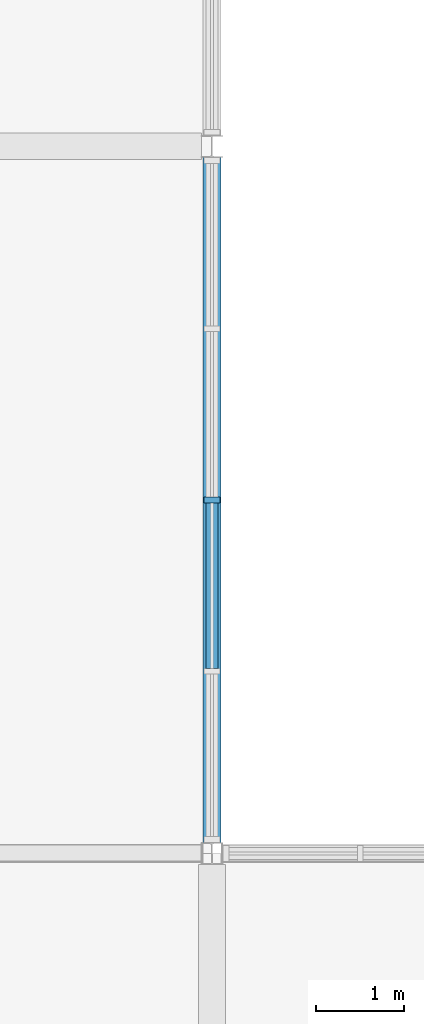
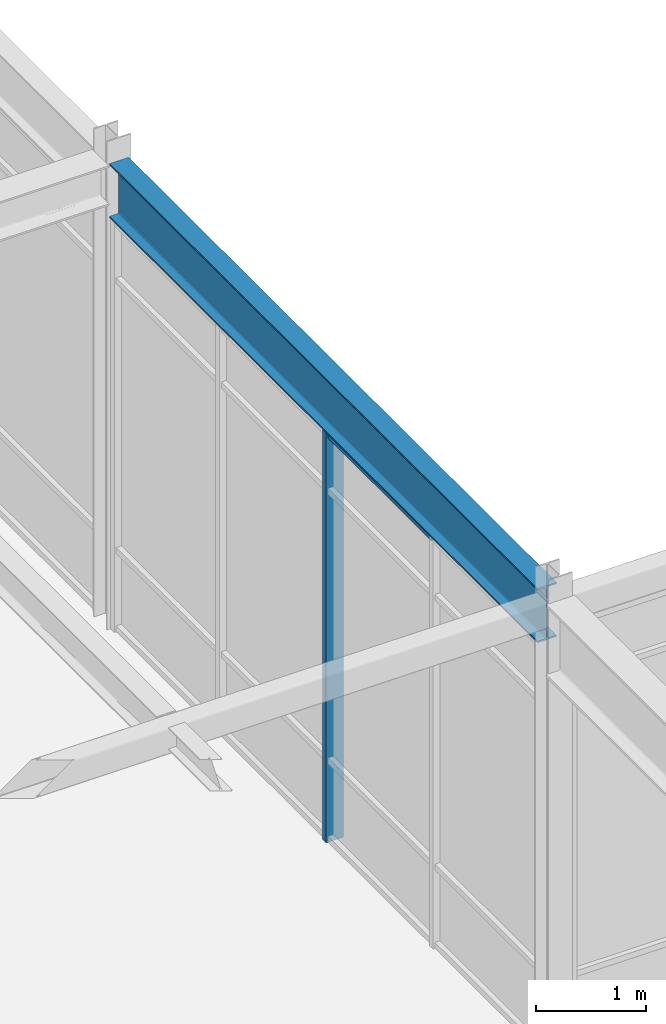
# One storey, part 35 of 184: 2 members, 1 beam, 1 element without a shape of its own.
"""IFC4 building model written with IfcOpenShell, lengths in metres."""

from ifc_helpers import new_model, si_unit, direction, frame, origin, origin_2d, place, context, subcontext, project, spatial, rectangle, i_section, extrude, material, material_profile, profile_set, type_object, element, aggregate, save


model = new_model("IFC4")

# Units and contexts
model_context = context("Model", 3, precision=1e-05, world=origin(), true_north=direction((0.0, 1.0)))
body_context = subcontext(model_context, "Body", "Model", "MODEL_VIEW")
ifc_project = project(units=[si_unit("LENGTHUNIT", "METRE"), si_unit("AREAUNIT", "SQUARE_METRE"), si_unit("VOLUMEUNIT", "CUBIC_METRE"), si_unit("PLANEANGLEUNIT", "RADIAN"), si_unit("MASSUNIT", "GRAM", prefix="KILO")], contexts=[model_context])

# Site, building, storey
site_placement = place(None, origin())
site = spatial("IfcSite", under=ifc_project, at=site_placement, CompositionType="ELEMENT")
building_placement = place(site_placement, origin())
building = spatial("IfcBuilding", under=site, at=building_placement, Name="Zhaolan Boulevard Law Courts", CompositionType="ELEMENT")
storey_placement = place(building_placement, frame((0.0, 0.0, 5.39990234375)))
storey = spatial("IfcBuildingStorey", under=building, at=storey_placement, Name="L01", CompositionType="ELEMENT", Elevation=5.39990234375)

# Curtain wall, members
ifc_material_1 = material(Name="Thermally broken aluminium and low-E glazing", Category="aluminium")
curtain_wall_type = type_object("IfcCurtainWallType", Name="CURTAIN WALL M22", PredefinedType="USERDEFINED", material=ifc_material_1)
curtain_wall_placement = place(storey_placement, origin())
curtain_wall = element("IfcCurtainWall", 1, at=curtain_wall_placement, inside=storey, type_object=curtain_wall_type, Name="Curtain Wall CW-L01-070", ObjectType="CURTAIN WALL", PredefinedType="USERDEFINED")
ifc_material_2 = material(Name="Fluorocarbon-coated aluminium 6063-T6", Category="aluminium")
ifc_material_profile_1 = material_profile(ifc_material_2, rectangle(XDim=0.179931640625, YDim=0.06494140625, at=origin_2d()), Name="AL65x180")
ifc_profile_set_1 = profile_set([ifc_material_profile_1], Name="Fluorocarbon-coated aluminium 6063-T6")
member_type_1 = type_object("IfcMemberType", Name="CWMULLION 65X180", PredefinedType="MULLION", material=ifc_profile_set_1)
member_1_placement = place(storey_placement, frame((60.0, 34.0, 0.0), z_axis=(0.0, 0.0, 1.0), x_axis=(-1.0, 0.0, 0.0)))
member_1 = element("IfcMember", 2, at=member_1_placement, type_object=member_type_1, Name="CW-L01-070 mullion 3", PredefinedType="MULLION", context=body_context, shape_type="SweptSolid", body=[
    extrude(rectangle(XDim=0.179931640625, YDim=0.06494140625, at=origin_2d()), origin(), (0.0, 0.0, 1.0), 4.533203125),
])
ifc_material_3 = material(Name="Fluorocarbon-coated aluminium 6063-T6", Category="aluminium")
ifc_material_profile_2 = material_profile(ifc_material_3, rectangle(XDim=0.139892578125, YDim=0.06494140625, at=origin_2d()), Name="AL65x140")
ifc_profile_set_2 = profile_set([ifc_material_profile_2], Name="Fluorocarbon-coated aluminium 6063-T6")
member_type_2 = type_object("IfcMemberType", Name="CWTRANSOM 65X140", PredefinedType="USERDEFINED", material=ifc_profile_set_2)
member_2_placement = place(storey_placement, frame((60.0, 32.095947265625, 4.50048828125), z_axis=(0.0, 1.0, 0.0), x_axis=(-1.0, 0.0, 0.0)))
member_2 = element("IfcMember", 3, at=member_2_placement, type_object=member_type_2, Name="CW-L01-070 transom 2.4", ObjectType="TRANSOM", PredefinedType="USERDEFINED", context=body_context, shape_type="SweptSolid", body=[
    extrude(rectangle(XDim=0.139892578125, YDim=0.06494140625, at=origin_2d()), origin(), (0.0, 0.0, 1.0), 1.87158203125),
])
aggregate(curtain_wall, [member_1, member_2])

# Beam
ifc_material_4 = material(Name="Structural steel Q355B", Category="steel")
ifc_material_profile_3 = material_profile(ifc_material_4, i_section(OverallWidth=0.199951171875, OverallDepth=0.60009765625, WebThickness=0.010986328125, FlangeThickness=0.01708984375, FilletRadius=0.02001953125, at=origin_2d()), Name="HN600x200")
ifc_profile_set_3 = profile_set([ifc_material_profile_3], Name="Structural steel Q355B")
beam_type = type_object("IfcBeamType", Name="GIRDER HN600", PredefinedType="BEAM", material=ifc_profile_set_3)
beam_placement = place(storey_placement, frame((60.0, 30.12109375, 4.84814453125), z_axis=(0.0, 1.0, 0.0), x_axis=(-1.0, 0.0, 0.0)))
element("IfcBeam", 4, at=beam_placement, inside=storey, type_object=beam_type, Name="Beam BY-L02-8-E-F", PredefinedType="BEAM", context=body_context, shape_type="SweptSolid", body=[
    extrude(i_section(OverallWidth=0.199951171875, OverallDepth=0.60009765625, WebThickness=0.010986328125, FlangeThickness=0.01708984375, FilletRadius=0.02001953125, at=origin_2d()), origin(), (0.0, 0.0, 1.0), 7.7578125),
])

save(model, "model.ifc")
